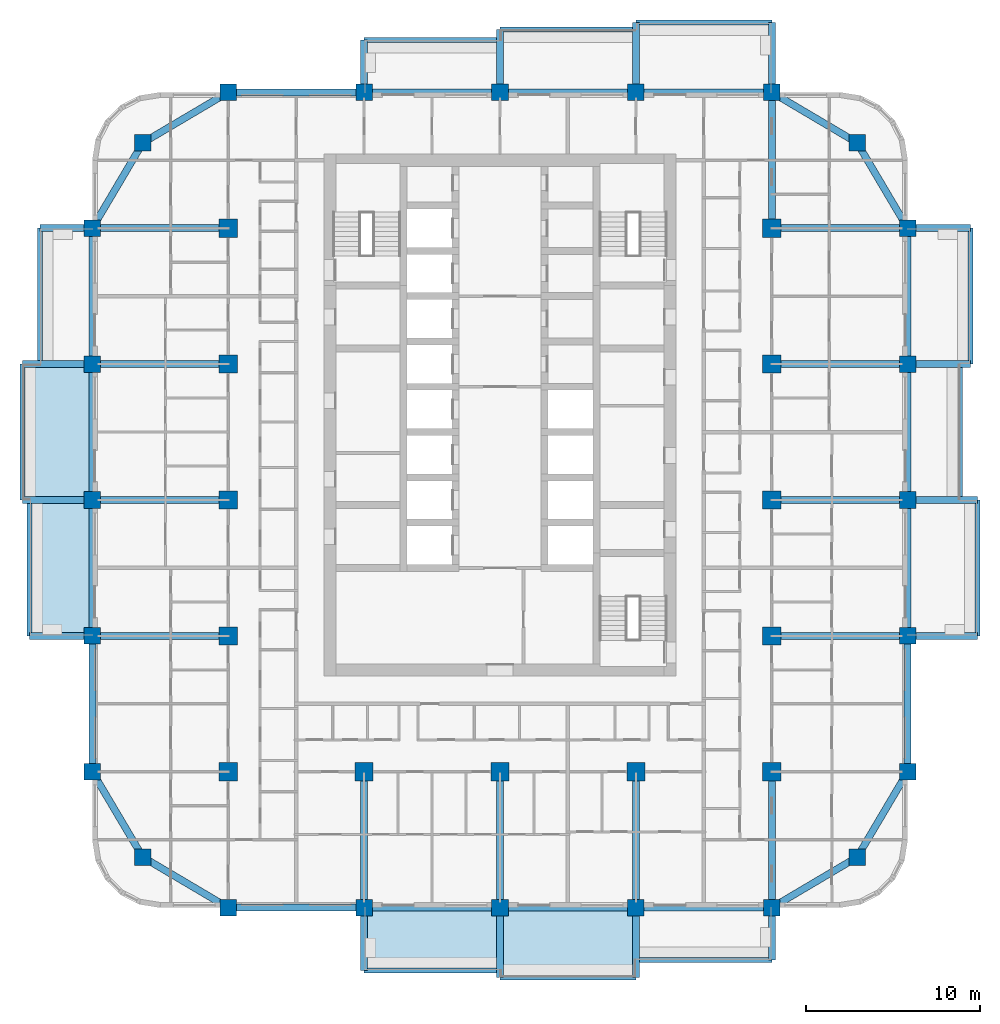
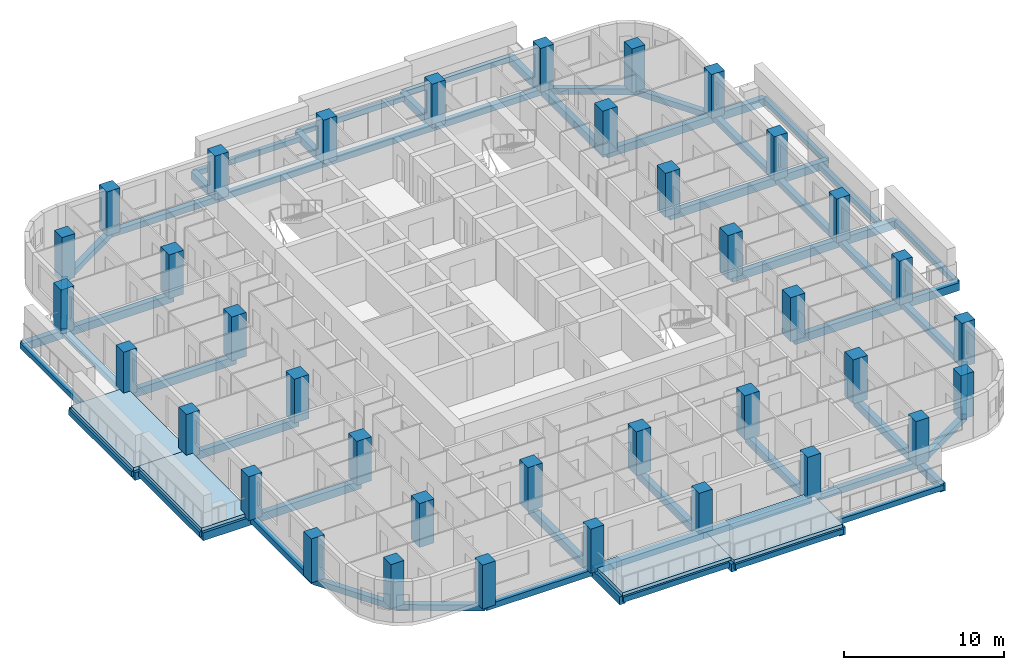
# One storey, part 1 of 17: 65 beams, 37 columns, 4 slabs.
"""IFC4 building model written with IfcOpenShell, lengths in metres."""

from ifc_helpers import new_model, si_unit, direction, frame, origin, origin_2d, place, context, subcontext, project, spatial, polyline, rectangle, outline, extrude, material, layer, layer_set, material_profile, profile_set, type_object, element, save


model = new_model("IFC4")

# Units and contexts
model_context = context("Model", 3, precision=1e-05, world=origin(), true_north=direction((0.0, 1.0)))
body_context = subcontext(model_context, "Body", "Model", "MODEL_VIEW")
ifc_project = project(units=[si_unit("LENGTHUNIT", "METRE"), si_unit("AREAUNIT", "SQUARE_METRE"), si_unit("VOLUMEUNIT", "CUBIC_METRE"), si_unit("PLANEANGLEUNIT", "RADIAN"), si_unit("MASSUNIT", "GRAM", prefix="KILO")], contexts=[model_context])

# Site, building, storey
site_placement = place(None, origin())
site = spatial("IfcSite", under=ifc_project, at=site_placement, CompositionType="ELEMENT")
building_placement = place(site_placement, origin())
building = spatial("IfcBuilding", under=site, at=building_placement, Name="Ludao Terraces", CompositionType="ELEMENT")
storey_placement = place(building_placement, frame((0.0, 0.0, 92.0)))
storey = spatial("IfcBuildingStorey", under=building, at=storey_placement, Name="L25", CompositionType="ELEMENT", Elevation=92.0)

# Columns
ifc_material_1 = material(Name="Concrete C55", Category="concrete")
ifc_material_profile_1 = material_profile(ifc_material_1, rectangle(XDim=1.050048828125, YDim=1.050048828125, at=origin_2d()), Name="1050 X 1050")
ifc_profile_set_1 = profile_set([ifc_material_profile_1], Name="Concrete C55")
column_type_1 = type_object("IfcColumnType", Name="RC column 1050x1050 C55", PredefinedType="COLUMN", material=ifc_profile_set_1)
for number, where, z_axis, x_axis, name in (
    (1, (69.39990234375, 49.39990234375, -0.25), (0.0, 0.0, 1.0), (1.0, 0.0, 0.0), "Column L25 S0078x0078"),
    (2, (69.39990234375, 57.199951171875, -0.25), (0.0, 0.0, 1.0), (1.0, 0.0, 0.0), "Column L25 S0078x0156"),
    (3, (69.39990234375, 65.0, -0.25), (0.0, 0.0, 1.0), (1.0, 0.0, 0.0), "Column L25 S0078x0234"),
    (4, (69.39990234375, 72.800048828125, -0.25), (0.0, 0.0, 1.0), (1.0, 0.0, 0.0), "Column L25 S0078x0312"),
    (5, (69.39990234375, 80.60009765625, -0.25), (0.0, 0.0, 1.0), (1.0, 0.0, 0.0), "Column L25 S0078x0390"),
    (6, (77.199951171875, 49.39990234375, -0.25), (0.0, 0.0, 1.0), (1.0, 0.0, 0.0), "Column L25 S0156x0078"),
    (7, (85.0, 49.39990234375, -0.25), (0.0, 0.0, 1.0), (1.0, 0.0, 0.0), "Column L25 S0234x0078"),
    (8, (92.800048828125, 49.39990234375, -0.25), (0.0, 0.0, 1.0), (1.0, 0.0, 0.0), "Column L25 S0312x0078"),
    (9, (100.60009765625, 49.39990234375, -0.25), (0.0, 0.0, 1.0), (1.0, 0.0, 0.0), "Column L25 S0390x0078"),
    (10, (100.60009765625, 57.199951171875, -0.25), (0.0, 0.0, 1.0), (1.0, 0.0, 0.0), "Column L25 S0390x0156"),
    (11, (100.60009765625, 65.0, -0.25), (0.0, 0.0, 1.0), (1.0, 0.0, 0.0), "Column L25 S0390x0234"),
    (12, (100.60009765625, 72.800048828125, -0.25), (0.0, 0.0, 1.0), (1.0, 0.0, 0.0), "Column L25 S0390x0312"),
    (13, (100.60009765625, 80.60009765625, -0.25), (0.0, 0.0, 1.0), (1.0, 0.0, 0.0), "Column L25 S0390x0390"),
):
    element("IfcColumn", number, at=place(storey_placement, frame(where, z_axis=z_axis, x_axis=x_axis)), inside=storey, type_object=column_type_1, Name=name, PredefinedType="COLUMN", context=body_context, shape_type="SweptSolid", body=[
        extrude(rectangle(XDim=1.050048828125, YDim=1.050048828125, at=origin_2d()), origin(), (0.0, 0.0, 1.0), 3.35009765625),
    ])
ifc_material_profile_2 = material_profile(ifc_material_1, rectangle(XDim=0.949951171875, YDim=0.949951171875, at=origin_2d()), Name="950 X 950")
ifc_profile_set_2 = profile_set([ifc_material_profile_2], Name="Concrete C55")
column_type_2 = type_object("IfcColumnType", Name="RC column 950x950 C55", PredefinedType="COLUMN", material=ifc_profile_set_2)
for number, where, z_axis, x_axis, name in (
    (14, (64.5, 44.5, -0.25), (0.0, 0.0, 1.0), (1.0, 0.0, 0.0), "Column L25 C0029x0029"),
    (15, (105.5, 44.5, -0.25), (0.0, 0.0, 1.0), (1.0, 0.0, 0.0), "Column L25 C0439x0029"),
    (16, (64.5, 85.5, -0.25), (0.0, 0.0, 1.0), (1.0, 0.0, 0.0), "Column L25 C0029x0439"),
    (17, (105.5, 85.5, -0.25), (0.0, 0.0, 1.0), (1.0, 0.0, 0.0), "Column L25 C0439x0439"),
    (18, (61.60009765625, 49.39990234375, -0.25), (0.0, 0.0, 1.0), (1.0, 0.0, 0.0), "Column L25 F0000x0078"),
    (19, (108.39990234375, 49.39990234375, -0.25), (0.0, 0.0, 1.0), (1.0, 0.0, 0.0), "Column L25 F0468x0078"),
    (20, (69.39990234375, 41.60009765625, -0.25), (0.0, 0.0, 1.0), (1.0, 0.0, 0.0), "Column L25 F0078x0000"),
    (21, (69.39990234375, 88.39990234375, -0.25), (0.0, 0.0, 1.0), (1.0, 0.0, 0.0), "Column L25 F0078x0468"),
    (22, (61.60009765625, 57.199951171875, -0.25), (0.0, 0.0, 1.0), (1.0, 0.0, 0.0), "Column L25 F0000x0156"),
    (23, (108.39990234375, 57.199951171875, -0.25), (0.0, 0.0, 1.0), (1.0, 0.0, 0.0), "Column L25 F0468x0156"),
    (24, (77.199951171875, 41.60009765625, -0.25), (0.0, 0.0, 1.0), (1.0, 0.0, 0.0), "Column L25 F0156x0000"),
    (25, (77.199951171875, 88.39990234375, -0.25), (0.0, 0.0, 1.0), (1.0, 0.0, 0.0), "Column L25 F0156x0468"),
    (26, (61.60009765625, 65.0, -0.25), (0.0, 0.0, 1.0), (1.0, 0.0, 0.0), "Column L25 F0000x0234"),
    (27, (108.39990234375, 65.0, -0.25), (0.0, 0.0, 1.0), (1.0, 0.0, 0.0), "Column L25 F0468x0234"),
    (28, (85.0, 41.60009765625, -0.25), (0.0, 0.0, 1.0), (1.0, 0.0, 0.0), "Column L25 F0234x0000"),
    (29, (85.0, 88.39990234375, -0.25), (0.0, 0.0, 1.0), (1.0, 0.0, 0.0), "Column L25 F0234x0468"),
    (30, (61.60009765625, 72.800048828125, -0.25), (0.0, 0.0, 1.0), (1.0, 0.0, 0.0), "Column L25 F0000x0312"),
    (31, (108.39990234375, 72.800048828125, -0.25), (0.0, 0.0, 1.0), (1.0, 0.0, 0.0), "Column L25 F0468x0312"),
    (32, (92.800048828125, 41.60009765625, -0.25), (0.0, 0.0, 1.0), (1.0, 0.0, 0.0), "Column L25 F0312x0000"),
    (33, (92.800048828125, 88.39990234375, -0.25), (0.0, 0.0, 1.0), (1.0, 0.0, 0.0), "Column L25 F0312x0468"),
    (34, (61.60009765625, 80.60009765625, -0.25), (0.0, 0.0, 1.0), (1.0, 0.0, 0.0), "Column L25 F0000x0390"),
    (35, (108.39990234375, 80.60009765625, -0.25), (0.0, 0.0, 1.0), (1.0, 0.0, 0.0), "Column L25 F0468x0390"),
    (36, (100.60009765625, 41.60009765625, -0.25), (0.0, 0.0, 1.0), (1.0, 0.0, 0.0), "Column L25 F0390x0000"),
    (37, (100.60009765625, 88.39990234375, -0.25), (0.0, 0.0, 1.0), (1.0, 0.0, 0.0), "Column L25 F0390x0468"),
):
    element("IfcColumn", number, at=place(storey_placement, frame(where, z_axis=z_axis, x_axis=x_axis)), inside=storey, type_object=column_type_2, Name=name, PredefinedType="COLUMN", context=body_context, shape_type="SweptSolid", body=[
        extrude(rectangle(XDim=0.949951171875, YDim=0.949951171875, at=origin_2d()), origin(), (0.0, 0.0, 1.0), 3.35009765625),
    ])

# Beams
ifc_material_2 = material(Name="Concrete C40", Category="concrete")
ifc_material_profile_3 = material_profile(ifc_material_2, rectangle(XDim=0.300048828125, YDim=0.39990234375, at=origin_2d()), Name="300 X 400")
ifc_profile_set_3 = profile_set([ifc_material_profile_3], Name="Concrete C40")
beam_type_1 = type_object("IfcBeamType", Name="RC beam 300x400 C40", PredefinedType="BEAM", material=ifc_profile_set_3)
for number, where, z_axis, x_axis, name in (
    (38, (77.199951171875, 38.0, -0.449951171875), (1.0, 0.0, 0.0), (0.0, 1.0, 0.0), "Balcony edge beam L25 S2"),
    (39, (85.0, 37.60009765625, -0.449951171875), (1.0, 0.0, 0.0), (0.0, 1.0, 0.0), "Balcony edge beam L25 S3"),
    (40, (92.800048828125, 38.60009765625, -0.449951171875), (1.0, 0.0, 0.0), (0.0, 1.0, 0.0), "Balcony edge beam L25 S4"),
    (41, (112.39990234375, 57.199951171875, -0.449951171875), (0.0, 1.0, 0.0), (-1.0, 0.0, 0.0), "Balcony edge beam L25 E2"),
    (42, (111.39990234375, 65.0, -0.449951171875), (0.0, 1.0, 0.0), (-1.0, 0.0, 0.0), "Balcony edge beam L25 E3"),
    (43, (112.0, 72.800048828125, -0.449951171875), (0.0, 1.0, 0.0), (-1.0, 0.0, 0.0), "Balcony edge beam L25 E4"),
    (44, (77.199951171875, 91.39990234375, -0.449951171875), (1.0, 0.0, 0.0), (0.0, 1.0, 0.0), "Balcony edge beam L25 N2"),
    (45, (85.0, 92.0, -0.449951171875), (1.0, 0.0, 0.0), (0.0, 1.0, 0.0), "Balcony edge beam L25 N3"),
    (46, (92.800048828125, 92.39990234375, -0.449951171875), (1.0, 0.0, 0.0), (0.0, 1.0, 0.0), "Balcony edge beam L25 N4"),
    (47, (58.0, 57.199951171875, -0.449951171875), (0.0, 1.0, 0.0), (-1.0, 0.0, 0.0), "Balcony edge beam L25 W2"),
    (48, (57.60009765625, 65.0, -0.449951171875), (0.0, 1.0, 0.0), (-1.0, 0.0, 0.0), "Balcony edge beam L25 W3"),
    (49, (58.60009765625, 72.800048828125, -0.449951171875), (0.0, 1.0, 0.0), (-1.0, 0.0, 0.0), "Balcony edge beam L25 W4"),
):
    element("IfcBeam", number, at=place(storey_placement, frame(where, z_axis=z_axis, x_axis=x_axis)), inside=storey, type_object=beam_type_1, Name=name, PredefinedType="BEAM", context=body_context, shape_type="SweptSolid", body=[
        extrude(rectangle(XDim=0.300048828125, YDim=0.39990234375, at=origin_2d()), origin(), (0.0, 0.0, 1.0), 7.800048828125),
    ])
ifc_material_profile_4 = material_profile(ifc_material_2, rectangle(XDim=0.39990234375, YDim=0.449951171875, at=origin_2d()), Name="400 X 450")
ifc_profile_set_4 = profile_set([ifc_material_profile_4], Name="Concrete C40")
beam_type_2 = type_object("IfcBeamType", Name="RC beam 400x450 C40", PredefinedType="BEAM", material=ifc_profile_set_4)
beam_1_placement = place(storey_placement, frame((64.5, 44.5, -0.47509765625), z_axis=(0.860579751256, -0.509315709288, 0.0), x_axis=(0.509315709288, 0.860579751256, 0.0)))
element("IfcBeam", 50, at=beam_1_placement, inside=storey, type_object=beam_type_2, Name="Spandrel beam L25 S1", PredefinedType="BEAM", context=body_context, shape_type="SweptSolid", body=[
    extrude(rectangle(XDim=0.39990234375, YDim=0.449951171875, at=origin_2d()), origin(), (0.0, 0.0, 1.0), 5.693603515625),
])
for number, where, z_axis, x_axis, name in (
    (51, (69.39990234375, 41.60009765625, -0.47509765625), (1.0, 0.0, 0.0), (0.0, 1.0, 0.0), "Spandrel beam L25 S2"),
    (52, (77.199951171875, 41.60009765625, -0.47509765625), (1.0, 0.0, 0.0), (0.0, 1.0, 0.0), "Spandrel beam L25 S3"),
    (53, (85.0, 41.60009765625, -0.47509765625), (1.0, 0.0, 0.0), (0.0, 1.0, 0.0), "Spandrel beam L25 S4"),
    (54, (92.800048828125, 41.60009765625, -0.47509765625), (1.0, 0.0, 0.0), (0.0, 1.0, 0.0), "Spandrel beam L25 S5"),
):
    element("IfcBeam", number, at=place(storey_placement, frame(where, z_axis=z_axis, x_axis=x_axis)), inside=storey, type_object=beam_type_2, Name=name, PredefinedType="BEAM", context=body_context, shape_type="SweptSolid", body=[
        extrude(rectangle(XDim=0.39990234375, YDim=0.449951171875, at=origin_2d()), origin(), (0.0, 0.0, 1.0), 7.800048828125),
    ])
for number, where, z_axis, x_axis, name in (
    (55, (100.60009765625, 41.60009765625, -0.47509765625), (0.860579751256, 0.509315709288, 0.0), (-0.509315709288, 0.860579751256, 0.0), "Spandrel beam L25 S6"),
    (56, (64.5, 85.5, -0.47509765625), (0.860579751256, 0.509315709288, 0.0), (-0.509315709288, 0.860579751256, 0.0), "Spandrel beam L25 N7"),
):
    element("IfcBeam", number, at=place(storey_placement, frame(where, z_axis=z_axis, x_axis=x_axis)), inside=storey, type_object=beam_type_2, Name=name, PredefinedType="BEAM", context=body_context, shape_type="SweptSolid", body=[
        extrude(rectangle(XDim=0.39990234375, YDim=0.449951171875, at=origin_2d()), origin(), (0.0, 0.0, 1.0), 5.693603515625),
    ])
for number, where, z_axis, x_axis, name in (
    (57, (69.39990234375, 88.39990234375, -0.47509765625), (1.0, 0.0, 0.0), (0.0, 1.0, 0.0), "Spandrel beam L25 N8"),
    (58, (77.199951171875, 88.39990234375, -0.47509765625), (1.0, 0.0, 0.0), (0.0, 1.0, 0.0), "Spandrel beam L25 N9"),
    (59, (85.0, 88.39990234375, -0.47509765625), (1.0, 0.0, 0.0), (0.0, 1.0, 0.0), "Spandrel beam L25 N10"),
    (60, (92.800048828125, 88.39990234375, -0.47509765625), (1.0, 0.0, 0.0), (0.0, 1.0, 0.0), "Spandrel beam L25 N11"),
):
    element("IfcBeam", number, at=place(storey_placement, frame(where, z_axis=z_axis, x_axis=x_axis)), inside=storey, type_object=beam_type_2, Name=name, PredefinedType="BEAM", context=body_context, shape_type="SweptSolid", body=[
        extrude(rectangle(XDim=0.39990234375, YDim=0.449951171875, at=origin_2d()), origin(), (0.0, 0.0, 1.0), 7.800048828125),
    ])
for number, where, z_axis, x_axis, name in (
    (61, (100.60009765625, 88.39990234375, -0.47509765625), (0.860579751256, -0.509315709288, 0.0), (0.509315709288, 0.860579751256, 0.0), "Spandrel beam L25 N12"),
    (62, (64.5, 44.5, -0.47509765625), (-0.509315709288, 0.860579751256, 0.0), (-0.860579751256, -0.509315709288, 0.0), "Spandrel beam L25 W13"),
):
    element("IfcBeam", number, at=place(storey_placement, frame(where, z_axis=z_axis, x_axis=x_axis)), inside=storey, type_object=beam_type_2, Name=name, PredefinedType="BEAM", context=body_context, shape_type="SweptSolid", body=[
        extrude(rectangle(XDim=0.39990234375, YDim=0.449951171875, at=origin_2d()), origin(), (0.0, 0.0, 1.0), 5.693603515625),
    ])
for number, where, z_axis, x_axis, name in (
    (63, (61.60009765625, 49.39990234375, -0.47509765625), (0.0, 1.0, 0.0), (-1.0, 0.0, 0.0), "Spandrel beam L25 W14"),
    (64, (61.60009765625, 57.199951171875, -0.47509765625), (0.0, 1.0, 0.0), (-1.0, 0.0, 0.0), "Spandrel beam L25 W15"),
    (65, (61.60009765625, 65.0, -0.47509765625), (0.0, 1.0, 0.0), (-1.0, 0.0, 0.0), "Spandrel beam L25 W16"),
    (66, (61.60009765625, 72.800048828125, -0.47509765625), (0.0, 1.0, 0.0), (-1.0, 0.0, 0.0), "Spandrel beam L25 W17"),
):
    element("IfcBeam", number, at=place(storey_placement, frame(where, z_axis=z_axis, x_axis=x_axis)), inside=storey, type_object=beam_type_2, Name=name, PredefinedType="BEAM", context=body_context, shape_type="SweptSolid", body=[
        extrude(rectangle(XDim=0.39990234375, YDim=0.449951171875, at=origin_2d()), origin(), (0.0, 0.0, 1.0), 7.800048828125),
    ])
for number, where, z_axis, x_axis, name in (
    (67, (61.60009765625, 80.60009765625, -0.47509765625), (0.509315709288, 0.860579751256, 0.0), (-0.860579751256, 0.509315709288, 0.0), "Spandrel beam L25 W18"),
    (68, (105.5, 44.5, -0.47509765625), (0.509315709288, 0.860579751256, 0.0), (-0.860579751256, 0.509315709288, 0.0), "Spandrel beam L25 E19"),
):
    element("IfcBeam", number, at=place(storey_placement, frame(where, z_axis=z_axis, x_axis=x_axis)), inside=storey, type_object=beam_type_2, Name=name, PredefinedType="BEAM", context=body_context, shape_type="SweptSolid", body=[
        extrude(rectangle(XDim=0.39990234375, YDim=0.449951171875, at=origin_2d()), origin(), (0.0, 0.0, 1.0), 5.693603515625),
    ])
for number, where, z_axis, x_axis, name in (
    (69, (108.39990234375, 49.39990234375, -0.47509765625), (0.0, 1.0, 0.0), (-1.0, 0.0, 0.0), "Spandrel beam L25 E20"),
    (70, (108.39990234375, 57.199951171875, -0.47509765625), (0.0, 1.0, 0.0), (-1.0, 0.0, 0.0), "Spandrel beam L25 E21"),
    (71, (108.39990234375, 65.0, -0.47509765625), (0.0, 1.0, 0.0), (-1.0, 0.0, 0.0), "Spandrel beam L25 E22"),
    (72, (108.39990234375, 72.800048828125, -0.47509765625), (0.0, 1.0, 0.0), (-1.0, 0.0, 0.0), "Spandrel beam L25 E23"),
):
    element("IfcBeam", number, at=place(storey_placement, frame(where, z_axis=z_axis, x_axis=x_axis)), inside=storey, type_object=beam_type_2, Name=name, PredefinedType="BEAM", context=body_context, shape_type="SweptSolid", body=[
        extrude(rectangle(XDim=0.39990234375, YDim=0.449951171875, at=origin_2d()), origin(), (0.0, 0.0, 1.0), 7.800048828125),
    ])
beam_2_placement = place(storey_placement, frame((108.39990234375, 80.60009765625, -0.47509765625), z_axis=(-0.509315709288, 0.860579751256, 0.0), x_axis=(-0.860579751256, -0.509315709288, 0.0)))
element("IfcBeam", 73, at=beam_2_placement, inside=storey, type_object=beam_type_2, Name="Spandrel beam L25 E24", PredefinedType="BEAM", context=body_context, shape_type="SweptSolid", body=[
    extrude(rectangle(XDim=0.39990234375, YDim=0.449951171875, at=origin_2d()), origin(), (0.0, 0.0, 1.0), 5.693603515625),
])
ifc_material_profile_5 = material_profile(ifc_material_2, rectangle(XDim=0.39990234375, YDim=0.60009765625, at=origin_2d()), Name="400 X 600")
ifc_profile_set_5 = profile_set([ifc_material_profile_5], Name="Concrete C40")
beam_type_3 = type_object("IfcBeamType", Name="RC beam 400x600 C40", PredefinedType="BEAM", material=ifc_profile_set_5)
beam_3_placement = place(storey_placement, frame((100.60009765625, 57.199951171875, -0.550048828125), z_axis=(1.0, 0.0, 0.0), x_axis=(0.0, 1.0, 0.0)))
element("IfcBeam", 74, at=beam_3_placement, inside=storey, type_object=beam_type_3, Name="Balcony beam L25 E572", PredefinedType="BEAM", context=body_context, shape_type="SweptSolid", body=[
    extrude(rectangle(XDim=0.39990234375, YDim=0.60009765625, at=origin_2d()), origin(), (0.0, 0.0, 1.0), 7.7998046875),
])
beam_4_placement = place(storey_placement, frame((108.39990234375, 57.199951171875, -0.550048828125), z_axis=(1.0, 0.0, 0.0), x_axis=(0.0, 1.0, 0.0)))
element("IfcBeam", 75, at=beam_4_placement, inside=storey, type_object=beam_type_3, Name="Balcony beam L25 E572", PredefinedType="BEAM", context=body_context, shape_type="SweptSolid", body=[
    extrude(rectangle(XDim=0.39990234375, YDim=0.60009765625, at=origin_2d()), origin(), (0.0, 0.0, 1.0), 4.0),
])
beam_5_placement = place(storey_placement, frame((100.60009765625, 65.0, -0.550048828125), z_axis=(1.0, 0.0, 0.0), x_axis=(0.0, 1.0, 0.0)))
element("IfcBeam", 76, at=beam_5_placement, inside=storey, type_object=beam_type_3, Name="Balcony beam L25 E650", PredefinedType="BEAM", context=body_context, shape_type="SweptSolid", body=[
    extrude(rectangle(XDim=0.39990234375, YDim=0.60009765625, at=origin_2d()), origin(), (0.0, 0.0, 1.0), 7.7998046875),
])
beam_6_placement = place(storey_placement, frame((108.39990234375, 65.0, -0.550048828125), z_axis=(1.0, 0.0, 0.0), x_axis=(0.0, 1.0, 0.0)))
element("IfcBeam", 77, at=beam_6_placement, inside=storey, type_object=beam_type_3, Name="Balcony beam L25 E650", PredefinedType="BEAM", context=body_context, shape_type="SweptSolid", body=[
    extrude(rectangle(XDim=0.39990234375, YDim=0.60009765625, at=origin_2d()), origin(), (0.0, 0.0, 1.0), 4.0),
])
beam_7_placement = place(storey_placement, frame((100.60009765625, 72.800048828125, -0.550048828125), z_axis=(1.0, 0.0, 0.0), x_axis=(0.0, 1.0, 0.0)))
element("IfcBeam", 78, at=beam_7_placement, inside=storey, type_object=beam_type_3, Name="Balcony beam L25 E728", PredefinedType="BEAM", context=body_context, shape_type="SweptSolid", body=[
    extrude(rectangle(XDim=0.39990234375, YDim=0.60009765625, at=origin_2d()), origin(), (0.0, 0.0, 1.0), 7.7998046875),
])
beam_8_placement = place(storey_placement, frame((108.39990234375, 72.800048828125, -0.550048828125), z_axis=(1.0, 0.0, 0.0), x_axis=(0.0, 1.0, 0.0)))
element("IfcBeam", 79, at=beam_8_placement, inside=storey, type_object=beam_type_3, Name="Balcony beam L25 E728", PredefinedType="BEAM", context=body_context, shape_type="SweptSolid", body=[
    extrude(rectangle(XDim=0.39990234375, YDim=0.60009765625, at=origin_2d()), origin(), (0.0, 0.0, 1.0), 3.60009765625),
])
beam_9_placement = place(storey_placement, frame((100.60009765625, 80.60009765625, -0.550048828125), z_axis=(1.0, 0.0, 0.0), x_axis=(0.0, 1.0, 0.0)))
element("IfcBeam", 80, at=beam_9_placement, inside=storey, type_object=beam_type_3, Name="Balcony beam L25 E806", PredefinedType="BEAM", context=body_context, shape_type="SweptSolid", body=[
    extrude(rectangle(XDim=0.39990234375, YDim=0.60009765625, at=origin_2d()), origin(), (0.0, 0.0, 1.0), 7.7998046875),
])
beam_10_placement = place(storey_placement, frame((108.39990234375, 80.60009765625, -0.550048828125), z_axis=(1.0, 0.0, 0.0), x_axis=(0.0, 1.0, 0.0)))
element("IfcBeam", 81, at=beam_10_placement, inside=storey, type_object=beam_type_3, Name="Balcony beam L25 E806", PredefinedType="BEAM", context=body_context, shape_type="SweptSolid", body=[
    extrude(rectangle(XDim=0.39990234375, YDim=0.60009765625, at=origin_2d()), origin(), (0.0, 0.0, 1.0), 3.60009765625),
])
beam_11_placement = place(storey_placement, frame((100.60009765625, 80.60009765625, -0.550048828125), z_axis=(0.0, 1.0, 0.0), x_axis=(-1.0, 0.0, 0.0)))
element("IfcBeam", 82, at=beam_11_placement, inside=storey, type_object=beam_type_3, Name="Balcony beam L25 N1006", PredefinedType="BEAM", context=body_context, shape_type="SweptSolid", body=[
    extrude(rectangle(XDim=0.39990234375, YDim=0.60009765625, at=origin_2d()), origin(), (0.0, 0.0, 1.0), 7.7998046875),
])
beam_12_placement = place(storey_placement, frame((100.60009765625, 88.39990234375, -0.550048828125), z_axis=(0.0, 1.0, 0.0), x_axis=(-1.0, 0.0, 0.0)))
element("IfcBeam", 83, at=beam_12_placement, inside=storey, type_object=beam_type_3, Name="Balcony beam L25 N1006", PredefinedType="BEAM", context=body_context, shape_type="SweptSolid", body=[
    extrude(rectangle(XDim=0.39990234375, YDim=0.60009765625, at=origin_2d()), origin(), (0.0, 0.0, 1.0), 4.0),
])
beam_13_placement = place(storey_placement, frame((77.199951171875, 88.39990234375, -0.550048828125), z_axis=(0.0, 1.0, 0.0), x_axis=(-1.0, 0.0, 0.0)))
element("IfcBeam", 84, at=beam_13_placement, inside=storey, type_object=beam_type_3, Name="Balcony beam L25 N772", PredefinedType="BEAM", context=body_context, shape_type="SweptSolid", body=[
    extrude(rectangle(XDim=0.39990234375, YDim=0.60009765625, at=origin_2d()), origin(), (0.0, 0.0, 1.0), 3.0),
])
beam_14_placement = place(storey_placement, frame((85.0, 88.39990234375, -0.550048828125), z_axis=(0.0, 1.0, 0.0), x_axis=(-1.0, 0.0, 0.0)))
element("IfcBeam", 85, at=beam_14_placement, inside=storey, type_object=beam_type_3, Name="Balcony beam L25 N850", PredefinedType="BEAM", context=body_context, shape_type="SweptSolid", body=[
    extrude(rectangle(XDim=0.39990234375, YDim=0.60009765625, at=origin_2d()), origin(), (0.0, 0.0, 1.0), 3.60009765625),
])
beam_15_placement = place(storey_placement, frame((92.800048828125, 88.39990234375, -0.550048828125), z_axis=(0.0, 1.0, 0.0), x_axis=(-1.0, 0.0, 0.0)))
element("IfcBeam", 86, at=beam_15_placement, inside=storey, type_object=beam_type_3, Name="Balcony beam L25 N928", PredefinedType="BEAM", context=body_context, shape_type="SweptSolid", body=[
    extrude(rectangle(XDim=0.39990234375, YDim=0.60009765625, at=origin_2d()), origin(), (0.0, 0.0, 1.0), 4.0),
])
beam_16_placement = place(storey_placement, frame((100.60009765625, 49.39990234375, -0.550048828125), z_axis=(0.0, -1.0, 0.0), x_axis=(1.0, 0.0, 0.0)))
element("IfcBeam", 87, at=beam_16_placement, inside=storey, type_object=beam_type_3, Name="Balcony beam L25 S1006", PredefinedType="BEAM", context=body_context, shape_type="SweptSolid", body=[
    extrude(rectangle(XDim=0.39990234375, YDim=0.60009765625, at=origin_2d()), origin(), (0.0, 0.0, 1.0), 7.7998046875),
])
beam_17_placement = place(storey_placement, frame((100.60009765625, 41.60009765625, -0.550048828125), z_axis=(0.0, -1.0, 0.0), x_axis=(1.0, 0.0, 0.0)))
element("IfcBeam", 88, at=beam_17_placement, inside=storey, type_object=beam_type_3, Name="Balcony beam L25 S1006", PredefinedType="BEAM", context=body_context, shape_type="SweptSolid", body=[
    extrude(rectangle(XDim=0.39990234375, YDim=0.60009765625, at=origin_2d()), origin(), (0.0, 0.0, 1.0), 3.0),
])
beam_18_placement = place(storey_placement, frame((77.199951171875, 49.39990234375, -0.550048828125), z_axis=(0.0, -1.0, 0.0), x_axis=(1.0, 0.0, 0.0)))
element("IfcBeam", 89, at=beam_18_placement, inside=storey, type_object=beam_type_3, Name="Balcony beam L25 S772", PredefinedType="BEAM", context=body_context, shape_type="SweptSolid", body=[
    extrude(rectangle(XDim=0.39990234375, YDim=0.60009765625, at=origin_2d()), origin(), (0.0, 0.0, 1.0), 7.7998046875),
])
beam_19_placement = place(storey_placement, frame((77.199951171875, 41.60009765625, -0.550048828125), z_axis=(0.0, -1.0, 0.0), x_axis=(1.0, 0.0, 0.0)))
element("IfcBeam", 90, at=beam_19_placement, inside=storey, type_object=beam_type_3, Name="Balcony beam L25 S772", PredefinedType="BEAM", context=body_context, shape_type="SweptSolid", body=[
    extrude(rectangle(XDim=0.39990234375, YDim=0.60009765625, at=origin_2d()), origin(), (0.0, 0.0, 1.0), 3.60009765625),
])
beam_20_placement = place(storey_placement, frame((85.0, 49.39990234375, -0.550048828125), z_axis=(0.0, -1.0, 0.0), x_axis=(1.0, 0.0, 0.0)))
element("IfcBeam", 91, at=beam_20_placement, inside=storey, type_object=beam_type_3, Name="Balcony beam L25 S850", PredefinedType="BEAM", context=body_context, shape_type="SweptSolid", body=[
    extrude(rectangle(XDim=0.39990234375, YDim=0.60009765625, at=origin_2d()), origin(), (0.0, 0.0, 1.0), 7.7998046875),
])
beam_21_placement = place(storey_placement, frame((85.0, 41.60009765625, -0.550048828125), z_axis=(0.0, -1.0, 0.0), x_axis=(1.0, 0.0, 0.0)))
element("IfcBeam", 92, at=beam_21_placement, inside=storey, type_object=beam_type_3, Name="Balcony beam L25 S850", PredefinedType="BEAM", context=body_context, shape_type="SweptSolid", body=[
    extrude(rectangle(XDim=0.39990234375, YDim=0.60009765625, at=origin_2d()), origin(), (0.0, 0.0, 1.0), 4.0),
])
beam_22_placement = place(storey_placement, frame((92.800048828125, 49.39990234375, -0.550048828125), z_axis=(0.0, -1.0, 0.0), x_axis=(1.0, 0.0, 0.0)))
element("IfcBeam", 93, at=beam_22_placement, inside=storey, type_object=beam_type_3, Name="Balcony beam L25 S928", PredefinedType="BEAM", context=body_context, shape_type="SweptSolid", body=[
    extrude(rectangle(XDim=0.39990234375, YDim=0.60009765625, at=origin_2d()), origin(), (0.0, 0.0, 1.0), 7.7998046875),
])
beam_23_placement = place(storey_placement, frame((92.800048828125, 41.60009765625, -0.550048828125), z_axis=(0.0, -1.0, 0.0), x_axis=(1.0, 0.0, 0.0)))
element("IfcBeam", 94, at=beam_23_placement, inside=storey, type_object=beam_type_3, Name="Balcony beam L25 S928", PredefinedType="BEAM", context=body_context, shape_type="SweptSolid", body=[
    extrude(rectangle(XDim=0.39990234375, YDim=0.60009765625, at=origin_2d()), origin(), (0.0, 0.0, 1.0), 4.0),
])
beam_24_placement = place(storey_placement, frame((69.39990234375, 57.199951171875, -0.550048828125), z_axis=(-1.0, 0.0, 0.0), x_axis=(0.0, -1.0, 0.0)))
element("IfcBeam", 95, at=beam_24_placement, inside=storey, type_object=beam_type_3, Name="Balcony beam L25 W572", PredefinedType="BEAM", context=body_context, shape_type="SweptSolid", body=[
    extrude(rectangle(XDim=0.39990234375, YDim=0.60009765625, at=origin_2d()), origin(), (0.0, 0.0, 1.0), 7.7998046875),
])
beam_25_placement = place(storey_placement, frame((61.60009765625, 57.199951171875, -0.550048828125), z_axis=(-1.0, 0.0, 0.0), x_axis=(0.0, -1.0, 0.0)))
element("IfcBeam", 96, at=beam_25_placement, inside=storey, type_object=beam_type_3, Name="Balcony beam L25 W572", PredefinedType="BEAM", context=body_context, shape_type="SweptSolid", body=[
    extrude(rectangle(XDim=0.39990234375, YDim=0.60009765625, at=origin_2d()), origin(), (0.0, 0.0, 1.0), 3.60009765625),
])
beam_26_placement = place(storey_placement, frame((69.39990234375, 65.0, -0.550048828125), z_axis=(-1.0, 0.0, 0.0), x_axis=(0.0, -1.0, 0.0)))
element("IfcBeam", 97, at=beam_26_placement, inside=storey, type_object=beam_type_3, Name="Balcony beam L25 W650", PredefinedType="BEAM", context=body_context, shape_type="SweptSolid", body=[
    extrude(rectangle(XDim=0.39990234375, YDim=0.60009765625, at=origin_2d()), origin(), (0.0, 0.0, 1.0), 7.7998046875),
])
beam_27_placement = place(storey_placement, frame((61.60009765625, 65.0, -0.550048828125), z_axis=(-1.0, 0.0, 0.0), x_axis=(0.0, -1.0, 0.0)))
element("IfcBeam", 98, at=beam_27_placement, inside=storey, type_object=beam_type_3, Name="Balcony beam L25 W650", PredefinedType="BEAM", context=body_context, shape_type="SweptSolid", body=[
    extrude(rectangle(XDim=0.39990234375, YDim=0.60009765625, at=origin_2d()), origin(), (0.0, 0.0, 1.0), 4.0),
])
beam_28_placement = place(storey_placement, frame((69.39990234375, 72.800048828125, -0.550048828125), z_axis=(-1.0, 0.0, 0.0), x_axis=(0.0, -1.0, 0.0)))
element("IfcBeam", 99, at=beam_28_placement, inside=storey, type_object=beam_type_3, Name="Balcony beam L25 W728", PredefinedType="BEAM", context=body_context, shape_type="SweptSolid", body=[
    extrude(rectangle(XDim=0.39990234375, YDim=0.60009765625, at=origin_2d()), origin(), (0.0, 0.0, 1.0), 7.7998046875),
])
beam_29_placement = place(storey_placement, frame((61.60009765625, 72.800048828125, -0.550048828125), z_axis=(-1.0, 0.0, 0.0), x_axis=(0.0, -1.0, 0.0)))
element("IfcBeam", 100, at=beam_29_placement, inside=storey, type_object=beam_type_3, Name="Balcony beam L25 W728", PredefinedType="BEAM", context=body_context, shape_type="SweptSolid", body=[
    extrude(rectangle(XDim=0.39990234375, YDim=0.60009765625, at=origin_2d()), origin(), (0.0, 0.0, 1.0), 4.0),
])
beam_30_placement = place(storey_placement, frame((69.39990234375, 80.60009765625, -0.550048828125), z_axis=(-1.0, 0.0, 0.0), x_axis=(0.0, -1.0, 0.0)))
element("IfcBeam", 101, at=beam_30_placement, inside=storey, type_object=beam_type_3, Name="Balcony beam L25 W806", PredefinedType="BEAM", context=body_context, shape_type="SweptSolid", body=[
    extrude(rectangle(XDim=0.39990234375, YDim=0.60009765625, at=origin_2d()), origin(), (0.0, 0.0, 1.0), 7.7998046875),
])
beam_31_placement = place(storey_placement, frame((61.60009765625, 80.60009765625, -0.550048828125), z_axis=(-1.0, 0.0, 0.0), x_axis=(0.0, -1.0, 0.0)))
element("IfcBeam", 102, at=beam_31_placement, inside=storey, type_object=beam_type_3, Name="Balcony beam L25 W806", PredefinedType="BEAM", context=body_context, shape_type="SweptSolid", body=[
    extrude(rectangle(XDim=0.39990234375, YDim=0.60009765625, at=origin_2d()), origin(), (0.0, 0.0, 1.0), 3.0),
])

# Slabs
ifc_layer = layer(ifc_material_2, 0.25)
ifc_layer_set = layer_set([ifc_layer], Name="Balcony slab 250 C40")
slab_type = type_object("IfcSlabType", Name="Balcony slab 250 C40", PredefinedType="USERDEFINED", material=ifc_layer_set)
slab_1_placement = place(storey_placement, frame((0.0, 0.0, -0.25)))
element("IfcSlab", 103, at=slab_1_placement, inside=storey, type_object=slab_type, Name="Balcony L25 S2", ObjectType="BALCONY", PredefinedType="USERDEFINED", context=body_context, shape_type="SweptSolid", body=[
    extrude(outline(polyline([(77.199951171875, 38.0), (85.0, 38.0), (85.0, 41.60009765625), (77.199951171875, 41.60009765625), (77.199951171875, 38.0)])), origin(), (0.0, 0.0, 1.0), 0.25),
])
slab_2_placement = place(storey_placement, frame((0.0, 0.0, -0.25)))
element("IfcSlab", 104, at=slab_2_placement, inside=storey, type_object=slab_type, Name="Balcony L25 S3", ObjectType="BALCONY", PredefinedType="USERDEFINED", context=body_context, shape_type="SweptSolid", body=[
    extrude(outline(polyline([(85.0, 37.60009765625), (92.800048828125, 37.60009765625), (92.800048828125, 41.60009765625), (85.0, 41.60009765625), (85.0, 37.60009765625)])), origin(), (0.0, 0.0, 1.0), 0.25),
])
slab_3_placement = place(storey_placement, frame((0.0, 0.0, -0.25)))
element("IfcSlab", 105, at=slab_3_placement, inside=storey, type_object=slab_type, Name="Balcony L25 W2", ObjectType="BALCONY", PredefinedType="USERDEFINED", context=body_context, shape_type="SweptSolid", body=[
    extrude(outline(polyline([(58.0, 57.199951171875), (61.60009765625, 57.199951171875), (61.60009765625, 65.0), (58.0, 65.0), (58.0, 57.199951171875)])), origin(), (0.0, 0.0, 1.0), 0.25),
])
slab_4_placement = place(storey_placement, frame((0.0, 0.0, -0.25)))
element("IfcSlab", 106, at=slab_4_placement, inside=storey, type_object=slab_type, Name="Balcony L25 W3", ObjectType="BALCONY", PredefinedType="USERDEFINED", context=body_context, shape_type="SweptSolid", body=[
    extrude(outline(polyline([(57.60009765625, 65.0), (61.60009765625, 65.0), (61.60009765625, 72.800048828125), (57.60009765625, 72.800048828125), (57.60009765625, 65.0)])), origin(), (0.0, 0.0, 1.0), 0.25),
])

save(model, "model.ifc")
